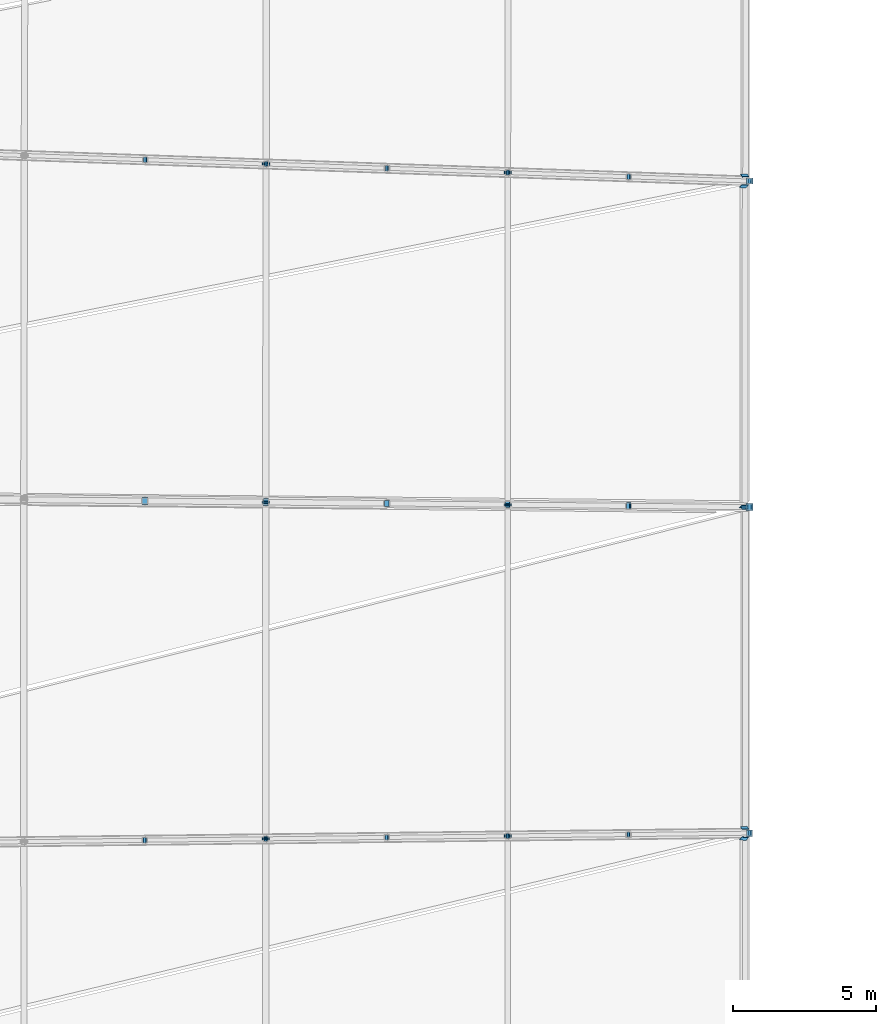
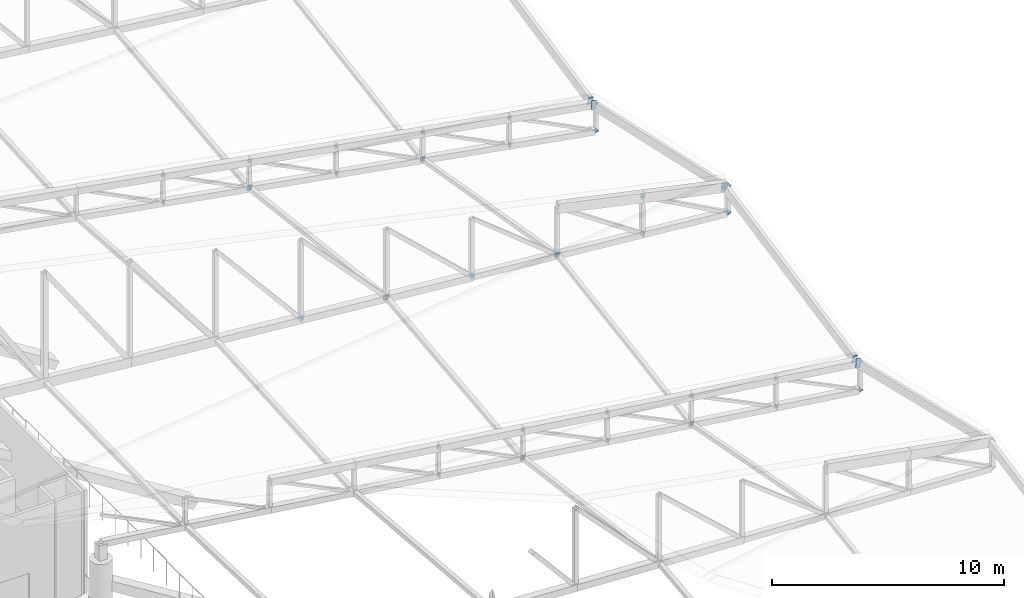
# One storey, part 295 of 344: 53 discrete accessories.
"""IFC4 building model written with IfcOpenShell, lengths in metres."""

from ifc_helpers import new_model, si_unit, direction, frame, origin, origin_2d, place, context, subcontext, project, spatial, rectangle, extrude, material, material_profile, profile_set, type_object, element, save


model = new_model("IFC4")

# Units and contexts
model_context = context("Model", 3, precision=1e-05, world=origin(), true_north=direction((0.0, 1.0)))
body_context = subcontext(model_context, "Body", "Model", "MODEL_VIEW")
ifc_project = project(units=[si_unit("LENGTHUNIT", "METRE"), si_unit("AREAUNIT", "SQUARE_METRE"), si_unit("VOLUMEUNIT", "CUBIC_METRE"), si_unit("PLANEANGLEUNIT", "RADIAN"), si_unit("MASSUNIT", "GRAM", prefix="KILO")], contexts=[model_context])

# Site, building, storey
site_placement = place(None, origin())
site = spatial("IfcSite", under=ifc_project, at=site_placement, CompositionType="ELEMENT")
building_placement = place(site_placement, origin())
building = spatial("IfcBuilding", under=site, at=building_placement, Name="Meseta Stadium", CompositionType="ELEMENT")
storey_placement = place(building_placement, frame((0.0, 0.0, 24.0)))
storey = spatial("IfcBuildingStorey", under=building, at=storey_placement, Name="L04", CompositionType="ELEMENT", Elevation=24.0)

# Discrete accessories
ifc_material_1 = material(Name="Steel S355", Category="steel")
ifc_material_profile_1 = material_profile(ifc_material_1, rectangle(XDim=0.179931640625, YDim=0.179931640625, at=origin_2d()), Name="PL 180x180")
ifc_profile_set_1 = profile_set([ifc_material_profile_1], Name="Steel S355")
discrete_accessory_type_1 = type_object("IfcDiscreteAccessoryType", Name="End plate 180x180x20", PredefinedType="ANCHORPLATE", material=ifc_profile_set_1)
for number, where, z_axis, x_axis, name in (
    (1, (-46.978759765625, 17.071533203125, 1.09326171875), (-0.898638141175, 0.036431275994, 0.437175311923), (-0.040507266643, -0.999179243854, 0.0), "End plate of ROOF TRUSS RT-31 diagonal"),
    (2, (-51.21630859375, 17.220947265625, 3.1630859375), (-0.898638141175, 0.036431275994, 0.437175311923), (-0.040507266643, -0.999179243854, 0.0), "End plate of ROOF TRUSS RT-31 diagonal"),
):
    element("IfcDiscreteAccessory", number, at=place(storey_placement, frame(where, z_axis=z_axis, x_axis=x_axis)), inside=storey, type_object=discrete_accessory_type_1, Name=name, PredefinedType="ANCHORPLATE", context=body_context, shape_type="SweptSolid", body=[
        extrude(rectangle(XDim=0.179931640625, YDim=0.179931640625, at=origin_2d()), origin(), (0.0, 0.0, 1.0), 0.02001953125),
    ])
for number, where, z_axis, x_axis, name in (
    (3, (-51.198486328125, 17.220458984375, 1.726318359375), (-0.896600239651, 0.024564390127, 0.442159022294), (-0.027386983732, -0.999624906213, 0.0), "End plate of ROOF TRUSS RT-31 diagonal"),
    (4, (-55.43603515625, 17.36962890625, 3.796142578125), (-0.896262295257, 0.036832697065, 0.441992364784), (-0.041061231452, -0.999156632001, 0.0), "End plate of ROOF TRUSS RT-31 diagonal"),
):
    element("IfcDiscreteAccessory", number, at=place(storey_placement, frame(where, z_axis=z_axis, x_axis=x_axis)), inside=storey, type_object=discrete_accessory_type_1, Name=name, PredefinedType="ANCHORPLATE", context=body_context, shape_type="SweptSolid", body=[
        extrude(rectangle(XDim=0.179931640625, YDim=0.179931640625, at=origin_2d()), origin(), (0.0, 0.0, 1.0), 0.019775390625),
    ])
for number, where, z_axis, x_axis, name in (
    (5, (-55.41796875, 17.369140625, 2.359375), (-0.898969631887, 0.024296476537, 0.437336577675), (-0.027017161348, -0.999634969873, 0.0), "End plate of ROOF TRUSS RT-31 diagonal"),
    (6, (-59.655517578125, 17.518310546875, 4.429443359375), (-0.898638141175, 0.036431275994, 0.437175311923), (-0.040507266643, -0.999179243854, 0.0), "End plate of ROOF TRUSS RT-31 diagonal"),
    (7, (-59.637451171875, 17.517822265625, 2.99267578125), (-0.903716743385, 0.024424776848, 0.427433594844), (-0.027017161348, -0.999634969873, 0.0), "End plate of ROOF TRUSS RT-31 diagonal"),
    (8, (-63.875, 17.667236328125, 5.0625), (-0.898969631887, 0.024296476537, 0.437336577675), (-0.027017161348, -0.999634969873, 0.0), "End plate of ROOF TRUSS RT-31 diagonal"),
):
    element("IfcDiscreteAccessory", number, at=place(storey_placement, frame(where, z_axis=z_axis, x_axis=x_axis)), inside=storey, type_object=discrete_accessory_type_1, Name=name, PredefinedType="ANCHORPLATE", context=body_context, shape_type="SweptSolid", body=[
        extrude(rectangle(XDim=0.179931640625, YDim=0.179931640625, at=origin_2d()), origin(), (0.0, 0.0, 1.0), 0.02001953125),
    ])
discrete_accessory_1_placement = place(storey_placement, frame((-63.857177734375, 17.66650390625, 3.625732421875), z_axis=(-0.896262295257, 0.036832697065, 0.441992364784), x_axis=(-0.041061231452, -0.999156632001, 0.0)))
element("IfcDiscreteAccessory", 9, at=discrete_accessory_1_placement, inside=storey, type_object=discrete_accessory_type_1, Name="End plate of ROOF TRUSS RT-31 diagonal", PredefinedType="ANCHORPLATE", context=body_context, shape_type="SweptSolid", body=[
    extrude(rectangle(XDim=0.179931640625, YDim=0.179931640625, at=origin_2d()), origin(), (0.0, 0.0, 1.0), 0.019775390625),
])
for number, where, z_axis, x_axis, name in (
    (10, (-68.0947265625, 17.81591796875, 5.695556640625), (-0.898969631887, 0.024296476537, 0.437336577675), (-0.027017161348, -0.999634969873, 0.0), "End plate of ROOF TRUSS RT-31 diagonal"),
    (11, (-68.07666015625, 17.815185546875, 4.2587890625), (-0.898638141175, 0.036431275994, 0.437175311923), (-0.040507266643, -0.999179243854, 0.0), "End plate of ROOF TRUSS RT-31 diagonal"),
):
    element("IfcDiscreteAccessory", number, at=place(storey_placement, frame(where, z_axis=z_axis, x_axis=x_axis)), inside=storey, type_object=discrete_accessory_type_1, Name=name, PredefinedType="ANCHORPLATE", context=body_context, shape_type="SweptSolid", body=[
        extrude(rectangle(XDim=0.179931640625, YDim=0.179931640625, at=origin_2d()), origin(), (0.0, 0.0, 1.0), 0.02001953125),
    ])
discrete_accessory_2_placement = place(storey_placement, frame((-46.981689453125, -5.690673828125, 1.275390625), z_axis=(-0.894427191, 0.0, 0.4472135955), x_axis=(0.0, -1.0, 0.0)))
element("IfcDiscreteAccessory", 12, at=discrete_accessory_2_placement, inside=storey, type_object=discrete_accessory_type_1, Name="End plate of ROOF TRUSS RT-33 diagonal", PredefinedType="ANCHORPLATE", context=body_context, shape_type="SweptSolid", body=[
    extrude(rectangle(XDim=0.179931640625, YDim=0.179931640625, at=origin_2d()), origin(), (0.0, 0.0, 1.0), 0.020263671875),
])
for number, where, z_axis, x_axis, name in (
    (13, (-51.2216796875, -5.740478515625, 3.37451171875), (-0.891970083601, 0.0, 0.452094425935), (0.0, -1.0, 0.0), "End plate of ROOF TRUSS RT-33 diagonal"),
    (14, (-51.20361328125, -5.740234375, 1.888427734375), (-0.899168702485, -0.012150928412, 0.437433422831), (0.013512279797, -0.99990870498, 0.0), "End plate of ROOF TRUSS RT-33 diagonal"),
):
    element("IfcDiscreteAccessory", number, at=place(storey_placement, frame(where, z_axis=z_axis, x_axis=x_axis)), inside=storey, type_object=discrete_accessory_type_1, Name=name, PredefinedType="ANCHORPLATE", context=body_context, shape_type="SweptSolid", body=[
        extrude(rectangle(XDim=0.179931640625, YDim=0.179931640625, at=origin_2d()), origin(), (0.0, 0.0, 1.0), 0.02001953125),
    ])
discrete_accessory_3_placement = place(storey_placement, frame((-55.443603515625, -5.7900390625, 3.987548828125), z_axis=(-0.896803189872, -0.012284975204, 0.442259107334), x_axis=(0.013697345027, -0.999906186969, 0.0)))
element("IfcDiscreteAccessory", 15, at=discrete_accessory_3_placement, inside=storey, type_object=discrete_accessory_type_1, Name="End plate of ROOF TRUSS RT-33 diagonal", PredefinedType="ANCHORPLATE", context=body_context, shape_type="SweptSolid", body=[
    extrude(rectangle(XDim=0.179931640625, YDim=0.179931640625, at=origin_2d()), origin(), (0.0, 0.0, 1.0), 0.019775390625),
])
discrete_accessory_4_placement = place(storey_placement, frame((-55.425537109375, -5.789794921875, 2.501220703125), z_axis=(-0.899168702485, -0.012150928412, 0.437433422831), x_axis=(0.013512279797, -0.99990870498, 0.0)))
element("IfcDiscreteAccessory", 16, at=discrete_accessory_4_placement, inside=storey, type_object=discrete_accessory_type_1, Name="End plate of ROOF TRUSS RT-33 diagonal", PredefinedType="ANCHORPLATE", context=body_context, shape_type="SweptSolid", body=[
    extrude(rectangle(XDim=0.179931640625, YDim=0.179931640625, at=origin_2d()), origin(), (0.0, 0.0, 1.0), 0.02001953125),
])
discrete_accessory_5_placement = place(storey_placement, frame((-59.66552734375, -5.839599609375, 4.600341796875), z_axis=(-0.896803189872, -0.012284975204, 0.442259107334), x_axis=(0.013697345027, -0.999906186969, 0.0)))
element("IfcDiscreteAccessory", 17, at=discrete_accessory_5_placement, inside=storey, type_object=discrete_accessory_type_1, Name="End plate of ROOF TRUSS RT-33 diagonal", PredefinedType="ANCHORPLATE", context=body_context, shape_type="SweptSolid", body=[
    extrude(rectangle(XDim=0.179931640625, YDim=0.179931640625, at=origin_2d()), origin(), (0.0, 0.0, 1.0), 0.019775390625),
])
for number, where, z_axis, x_axis, name in (
    (18, (-59.6474609375, -5.83935546875, 3.114013671875), (-0.899168702485, -0.012150928412, 0.437433422831), (0.013512279797, -0.99990870498, 0.0), "End plate of ROOF TRUSS RT-33 diagonal"),
    (19, (-63.887451171875, -5.88916015625, 5.213134765625), (-0.891903506248, -0.01221785625, 0.452060681249), (0.013697345027, -0.999906186969, 0.0), "End plate of ROOF TRUSS RT-33 diagonal"),
):
    element("IfcDiscreteAccessory", number, at=place(storey_placement, frame(where, z_axis=z_axis, x_axis=x_axis)), inside=storey, type_object=discrete_accessory_type_1, Name=name, PredefinedType="ANCHORPLATE", context=body_context, shape_type="SweptSolid", body=[
        extrude(rectangle(XDim=0.179931640625, YDim=0.179931640625, at=origin_2d()), origin(), (0.0, 0.0, 1.0), 0.02001953125),
    ])
discrete_accessory_6_placement = place(storey_placement, frame((-63.869384765625, -5.888916015625, 3.726806640625), z_axis=(-0.894361863812, -0.012085971133, 0.447180931906), x_axis=(0.013512279797, -0.99990870498, 0.0)))
element("IfcDiscreteAccessory", 20, at=discrete_accessory_6_placement, inside=storey, type_object=discrete_accessory_type_1, Name="End plate of ROOF TRUSS RT-33 diagonal", PredefinedType="ANCHORPLATE", context=body_context, shape_type="SweptSolid", body=[
    extrude(rectangle(XDim=0.179931640625, YDim=0.179931640625, at=origin_2d()), origin(), (0.0, 0.0, 1.0), 0.020263671875),
])
for number, where, z_axis, x_axis, name in (
    (21, (-68.109375, -5.938720703125, 5.825927734375), (-0.891903506248, -0.01221785625, 0.452060681249), (0.013697345027, -0.999906186969, 0.0), "End plate of ROOF TRUSS RT-33 diagonal"),
    (22, (-68.09130859375, -5.9384765625, 4.33984375), (-0.899168702485, -0.012150928412, 0.437433422831), (0.013512279797, -0.99990870498, 0.0), "End plate of ROOF TRUSS RT-33 diagonal"),
):
    element("IfcDiscreteAccessory", number, at=place(storey_placement, frame(where, z_axis=z_axis, x_axis=x_axis)), inside=storey, type_object=discrete_accessory_type_1, Name=name, PredefinedType="ANCHORPLATE", context=body_context, shape_type="SweptSolid", body=[
        extrude(rectangle(XDim=0.179931640625, YDim=0.179931640625, at=origin_2d()), origin(), (0.0, 0.0, 1.0), 0.02001953125),
    ])
ifc_material_2 = material(Name="Steel S355", Category="steel")
ifc_material_profile_2 = material_profile(ifc_material_2, rectangle(XDim=0.219970703125, YDim=0.219970703125, at=origin_2d()), Name="PL 220x220")
ifc_profile_set_2 = profile_set([ifc_material_profile_2], Name="Steel S355")
discrete_accessory_type_2 = type_object("IfcDiscreteAccessoryType", Name="End plate 220x220x20", PredefinedType="ANCHORPLATE", material=ifc_profile_set_2)
for number, where, z_axis, x_axis, name in (
    (23, (-46.996826171875, 17.072265625, 1.08203125), (0.0, 0.0, 1.0), (1.0, 0.0, 0.0), "End plate of ROOF TRUSS RT-31 post"),
    (24, (-46.996826171875, 17.072265625, 2.530029296875), (0.0, 0.0, 1.0), (1.0, 0.0, 0.0), "End plate of ROOF TRUSS RT-31 post"),
):
    element("IfcDiscreteAccessory", number, at=place(storey_placement, frame(where, z_axis=z_axis, x_axis=x_axis)), inside=storey, type_object=discrete_accessory_type_2, Name=name, PredefinedType="ANCHORPLATE", context=body_context, shape_type="SweptSolid", body=[
        extrude(rectangle(XDim=0.219970703125, YDim=0.219970703125, at=origin_2d()), origin(), (0.0, 0.0, 1.0), 0.02001953125),
    ])
discrete_accessory_7_placement = place(storey_placement, frame((-46.98193359375, 5.690673828125, 3.69482421875), z_axis=(-0.882018256262, 0.0, 0.471215232798), x_axis=(0.0, -1.0, 0.0)))
element("IfcDiscreteAccessory", 25, at=discrete_accessory_7_placement, inside=storey, type_object=discrete_accessory_type_2, Name="End plate of ROOF TRUSS RT-32 diagonal", PredefinedType="ANCHORPLATE", context=body_context, shape_type="SweptSolid", body=[
    extrude(rectangle(XDim=0.219970703125, YDim=0.219970703125, at=origin_2d()), origin(), (0.0, 0.0, 1.0), 0.020263671875),
])
for number, where, z_axis, x_axis, name in (
    (26, (-51.2216796875, 5.734130859375, 5.989013671875), (-0.879226404, 0.012211477833, 0.4762476355), (-0.013887549491, -0.999903563335, 0.0), "End plate of ROOF TRUSS RT-32 diagonal"),
    (27, (-51.205078125, 5.734130859375, 4.029541015625), (-0.828283413128, 0.0, 0.560309367704), (0.0, -1.0, 0.0), "End plate of ROOF TRUSS RT-32 diagonal"),
    (28, (-55.427978515625, 5.77734375, 4.364501953125), (-0.776056939204, 0.012125889675, 0.630546263103), (-0.015623093001, -0.999877952035, 0.0), "End plate of ROOF TRUSS RT-32 diagonal"),
    (29, (-46.999755859375, -5.690673828125, 1.264404296875), (0.0, 0.0, 1.0), (1.0, 0.0, 0.0), "End plate of ROOF TRUSS RT-33 post"),
    (30, (-46.999755859375, -5.690673828125, 2.76171875), (0.0, 0.0, 1.0), (1.0, 0.0, 0.0), "End plate of ROOF TRUSS RT-33 post"),
):
    element("IfcDiscreteAccessory", number, at=place(storey_placement, frame(where, z_axis=z_axis, x_axis=x_axis)), inside=storey, type_object=discrete_accessory_type_2, Name=name, PredefinedType="ANCHORPLATE", context=body_context, shape_type="SweptSolid", body=[
        extrude(rectangle(XDim=0.219970703125, YDim=0.219970703125, at=origin_2d()), origin(), (0.0, 0.0, 1.0), 0.02001953125),
    ])
ifc_material_3 = material(Name="Steel S355", Category="steel")
ifc_material_profile_3 = material_profile(ifc_material_3, rectangle(XDim=0.239990234375, YDim=0.239990234375, at=origin_2d()), Name="PL 240x240")
ifc_profile_set_3 = profile_set([ifc_material_profile_3], Name="Steel S355")
discrete_accessory_type_3 = type_object("IfcDiscreteAccessoryType", Name="End plate 240x240x20", PredefinedType="ANCHORPLATE", material=ifc_profile_set_3)
for number, where, z_axis, x_axis, name in (
    (31, (-46.999755859375, 5.690673828125, 3.684326171875), (0.0, 0.0, 1.0), (1.0, 0.0, 0.0), "End plate of ROOF TRUSS RT-32 post"),
    (32, (-46.999755859375, 5.690673828125, 5.1044921875), (0.0, 0.0, 1.0), (1.0, 0.0, 0.0), "End plate of ROOF TRUSS RT-32 post"),
):
    element("IfcDiscreteAccessory", number, at=place(storey_placement, frame(where, z_axis=z_axis, x_axis=x_axis)), inside=storey, type_object=discrete_accessory_type_3, Name=name, PredefinedType="ANCHORPLATE", context=body_context, shape_type="SweptSolid", body=[
        extrude(rectangle(XDim=0.239990234375, YDim=0.239990234375, at=origin_2d()), origin(), (0.0, 0.0, 1.0), 0.02001953125),
    ])
discrete_accessory_8_placement = place(storey_placement, frame((-59.65087890625, 5.82080078125, 4.699951171875), z_axis=(-0.737098512223, 0.012284975204, 0.675673636205), x_axis=(-0.016664352334, -0.99986114004, 0.0)))
element("IfcDiscreteAccessory", 33, at=discrete_accessory_8_placement, inside=storey, type_object=discrete_accessory_type_3, Name="End plate of ROOF TRUSS RT-32 diagonal", PredefinedType="ANCHORPLATE", context=body_context, shape_type="SweptSolid", body=[
    extrude(rectangle(XDim=0.239990234375, YDim=0.239990234375, at=origin_2d()), origin(), (0.0, 0.0, 1.0), 0.019775390625),
])
for number, where, z_axis, x_axis, name in (
    (34, (-63.8740234375, 5.8642578125, 5.03515625), (-0.68226760886, 0.012183350158, 0.731001009493), (-0.017854296417, -0.999840599345, 0.0), "End plate of ROOF TRUSS RT-32 diagonal"),
    (35, (-68.0966796875, 5.90771484375, 5.370849609375), (-0.643761629109, 0.0, 0.765226087432), (0.0, -1.0, 0.0), "End plate of ROOF TRUSS RT-32 diagonal"),
    (36, (-55.43603515625, 17.36962890625, 2.3681640625), (0.0, -0.987364450794, -0.15846589951), (1.0, 0.0, 0.0), "End plate of ROOF TRUSS STRUT RT-30/31"),
    (37, (-55.43603515625, 17.389404296875, 2.36474609375), (0.0, -0.985389793052, 0.170314285219), (1.0, 0.0, 0.0), "End plate of ROOF TRUSS STRUT RT-31/32"),
    (38, (-55.443603515625, 5.777587890625, 4.377197265625), (0.0, -0.985389793052, 0.170314285219), (1.0, 0.0, 0.0), "End plate of ROOF TRUSS STRUT RT-31/32"),
    (39, (-55.443603515625, 5.79736328125, 4.38037109375), (0.0, -0.987364450794, -0.15846589951), (1.0, 0.0, 0.0), "End plate of ROOF TRUSS STRUT RT-32/33"),
    (40, (-55.443603515625, -5.7900390625, 2.510009765625), (0.0, -0.987364450794, -0.15846589951), (1.0, 0.0, 0.0), "End plate of ROOF TRUSS STRUT RT-32/33"),
    (41, (-55.443603515625, -5.770263671875, 2.50634765625), (0.0, -0.983282004984, 0.182089260182), (1.0, 0.0, 0.0), "End plate of ROOF TRUSS STRUT RT-33/34"),
):
    element("IfcDiscreteAccessory", number, at=place(storey_placement, frame(where, z_axis=z_axis, x_axis=x_axis)), inside=storey, type_object=discrete_accessory_type_3, Name=name, PredefinedType="ANCHORPLATE", context=body_context, shape_type="SweptSolid", body=[
        extrude(rectangle(XDim=0.239990234375, YDim=0.239990234375, at=origin_2d()), origin(), (0.0, 0.0, 1.0), 0.02001953125),
    ])
ifc_material_4 = material(Name="Steel S355", Category="steel")
ifc_material_profile_4 = material_profile(ifc_material_4, rectangle(XDim=0.239990234375, YDim=0.43994140625, at=origin_2d()), Name="PL 240x440")
ifc_profile_set_4 = profile_set([ifc_material_profile_4], Name="Steel S355")
discrete_accessory_type_4 = type_object("IfcDiscreteAccessoryType", Name="End plate 240x440x20", PredefinedType="ANCHORPLATE", material=ifc_profile_set_4)
discrete_accessory_9_placement = place(storey_placement, frame((-47.164794921875, 17.273193359375, 2.60791015625), z_axis=(0.0, -0.978158850918, -0.20785875582), x_axis=(0.990373917729, 0.028771363498, -0.135394651757)))
element("IfcDiscreteAccessory", 42, at=discrete_accessory_9_placement, inside=storey, type_object=discrete_accessory_type_4, Name="End plate of TIP RING BEAM 31", PredefinedType="ANCHORPLATE", context=body_context, shape_type="SweptSolid", body=[
    extrude(rectangle(XDim=0.239990234375, YDim=0.43994140625, at=origin_2d()), origin(), (0.0, 0.0, 1.0), 0.02001953125),
])
discrete_accessory_10_placement = place(storey_placement, frame((-47.19580078125, 16.903564453125, 2.6142578125), z_axis=(0.0, -0.975011472973, 0.222154512829), x_axis=(0.979311618212, -0.044954739763, -0.197301357848)))
element("IfcDiscreteAccessory", 43, at=discrete_accessory_10_placement, inside=storey, type_object=discrete_accessory_type_4, Name="End plate of TIP RING BEAM 32", PredefinedType="ANCHORPLATE", context=body_context, shape_type="SweptSolid", body=[
    extrude(rectangle(XDim=0.239990234375, YDim=0.43994140625, at=origin_2d()), origin(), (0.0, 0.0, 1.0), 0.019775390625),
])
for number, where, z_axis, x_axis, name in (
    (44, (-47.19873046875, 5.71533203125, 5.116943359375), (0.0, -0.978158850918, 0.20785875582), (0.979311618212, -0.042061879168, -0.197938254909), "End plate of TIP RING BEAM 32"),
    (45, (-47.170166015625, 5.6787109375, 5.110595703125), (0.0, -0.978158850918, -0.20785875582), (0.98970789741, 0.029745072961, -0.139976813936), "End plate of TIP RING BEAM 33"),
    (46, (-47.170166015625, -5.497802734375, 2.83935546875), (0.0, -0.978158850918, -0.20785875582), (0.98970789741, 0.029745072961, -0.139976813936), "End plate of TIP RING BEAM 33"),
):
    element("IfcDiscreteAccessory", number, at=place(storey_placement, frame(where, z_axis=z_axis, x_axis=x_axis)), inside=storey, type_object=discrete_accessory_type_4, Name=name, PredefinedType="ANCHORPLATE", context=body_context, shape_type="SweptSolid", body=[
        extrude(rectangle(XDim=0.239990234375, YDim=0.43994140625, at=origin_2d()), origin(), (0.0, 0.0, 1.0), 0.02001953125),
    ])
discrete_accessory_11_placement = place(storey_placement, frame((-47.19091796875, -5.86865234375, 2.846923828125), z_axis=(0.0, -0.972275475429, 0.233838405483), x_axis=(0.982543306353, -0.043501895174, -0.180876300985)))
element("IfcDiscreteAccessory", 47, at=discrete_accessory_11_placement, inside=storey, type_object=discrete_accessory_type_4, Name="End plate of TIP RING BEAM 34", PredefinedType="ANCHORPLATE", context=body_context, shape_type="SweptSolid", body=[
    extrude(rectangle(XDim=0.239990234375, YDim=0.43994140625, at=origin_2d()), origin(), (0.0, 0.0, 1.0), 0.019775390625),
])
ifc_material_5 = material(Name="Steel S355", Category="steel")
ifc_material_profile_5 = material_profile(ifc_material_5, rectangle(XDim=0.260009765625, YDim=0.260009765625, at=origin_2d()), Name="PL 260x260")
ifc_profile_set_5 = profile_set([ifc_material_profile_5], Name="Steel S355")
discrete_accessory_type_5 = type_object("IfcDiscreteAccessoryType", Name="End plate 260x260x20", PredefinedType="ANCHORPLATE", material=ifc_profile_set_5)
for number, where, z_axis, x_axis, name in (
    (48, (-63.875, 17.667236328125, 3.634521484375), (-0.012121434739, -0.993957648609, -0.109092912652), (0.999925647793, -0.012194215217, 0.0), "End plate of ROOF TRUSS STRUT RT-30/31"),
    (49, (-63.875, 17.68701171875, 3.632080078125), (0.0, -0.992465233221, 0.122526572003), (1.0, 0.0, 0.0), "End plate of ROOF TRUSS STRUT RT-31/32"),
):
    element("IfcDiscreteAccessory", number, at=place(storey_placement, frame(where, z_axis=z_axis, x_axis=x_axis)), inside=storey, type_object=discrete_accessory_type_5, Name=name, PredefinedType="ANCHORPLATE", context=body_context, shape_type="SweptSolid", body=[
        extrude(rectangle(XDim=0.260009765625, YDim=0.260009765625, at=origin_2d()), origin(), (0.0, 0.0, 1.0), 0.02001953125),
    ])
discrete_accessory_12_placement = place(storey_placement, frame((-63.8876953125, 5.864501953125, 5.0498046875), z_axis=(0.0, -0.992645877551, 0.121054375311), x_axis=(1.0, 0.0, 0.0)))
element("IfcDiscreteAccessory", 50, at=discrete_accessory_12_placement, inside=storey, type_object=discrete_accessory_type_5, Name="End plate of ROOF TRUSS STRUT RT-31/32", PredefinedType="ANCHORPLATE", context=body_context, shape_type="SweptSolid", body=[
    extrude(rectangle(XDim=0.260009765625, YDim=0.260009765625, at=origin_2d()), origin(), (0.0, 0.0, 1.0), 0.020263671875),
])
discrete_accessory_13_placement = place(storey_placement, frame((-63.8876953125, 5.88427734375, 5.052001953125), z_axis=(0.0, -0.993883734674, -0.110431526075), x_axis=(1.0, 0.0, 0.0)))
element("IfcDiscreteAccessory", 51, at=discrete_accessory_13_placement, inside=storey, type_object=discrete_accessory_type_5, Name="End plate of ROOF TRUSS STRUT RT-32/33", PredefinedType="ANCHORPLATE", context=body_context, shape_type="SweptSolid", body=[
    extrude(rectangle(XDim=0.260009765625, YDim=0.260009765625, at=origin_2d()), origin(), (0.0, 0.0, 1.0), 0.019775390625),
])
for number, where, z_axis, x_axis, name in (
    (52, (-63.887451171875, -5.88916015625, 3.73583984375), (0.0, -0.994030677348, -0.109100928002), (1.0, 0.0, 0.0), "End plate of ROOF TRUSS STRUT RT-32/33"),
    (53, (-63.887451171875, -5.869384765625, 3.733154296875), (0.0, -0.990904460181, 0.13456727237), (1.0, 0.0, 0.0), "End plate of ROOF TRUSS STRUT RT-33/34"),
):
    element("IfcDiscreteAccessory", number, at=place(storey_placement, frame(where, z_axis=z_axis, x_axis=x_axis)), inside=storey, type_object=discrete_accessory_type_5, Name=name, PredefinedType="ANCHORPLATE", context=body_context, shape_type="SweptSolid", body=[
        extrude(rectangle(XDim=0.260009765625, YDim=0.260009765625, at=origin_2d()), origin(), (0.0, 0.0, 1.0), 0.02001953125),
    ])

save(model, "model.ifc")
